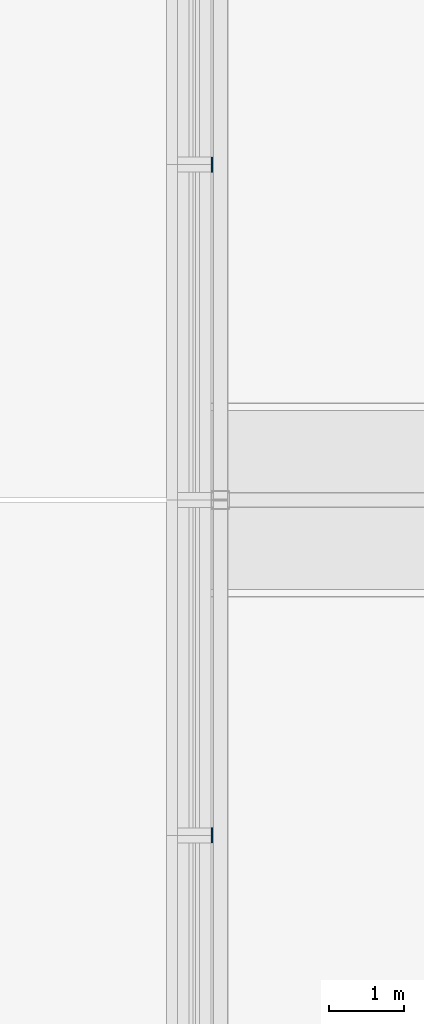
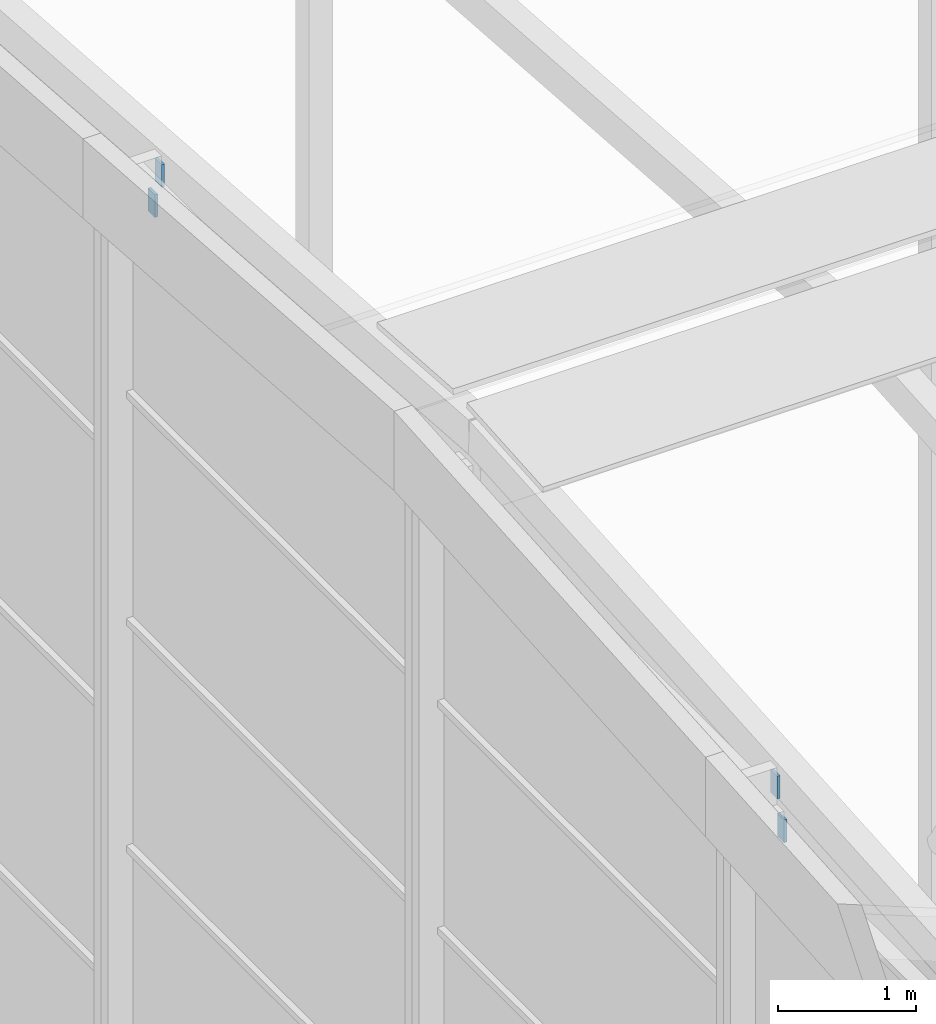
# One storey, part 65 of 84: 4 discrete accessories.
"""IFC4 building model written with IfcOpenShell, lengths in metres."""

import ifcopenshell
import ifcopenshell.guid

model = None  # the IFC model being written
_history = None  # IfcOwnerHistory: only IFC2X3 demands one
_inside = {}  # id of a spatial element -> (the spatial element, [elements in it])
_under = {}  # id of a project, library or spatial element -> (it, [spatial elements below it])
_declared = {}  # id of a project -> (the project, [libraries it declares])
_typed = {}  # id of a type object -> (the type object, [elements of that type])
_made_of = {}  # id of a material, layer set ... -> (it, [elements and type objects made of it])


def new_model(schema):
    """Start an empty IFC model of exactly this schema.

    Asked for "IFC4X3", IfcOpenShell would pick the latest addendum, in which some entities
    have other attributes; the version numbers below select the first issue.
    IFC2X3 requires an IfcOwnerHistory on every rooted entity: one is made here for all.
    """
    global model, _history
    if schema == "IFC4X3":
        model = ifcopenshell.file(schema_version=(4, 3, 0, 0))
    else:
        model = ifcopenshell.file(schema=schema)
    _inside.clear()
    _under.clear()
    _declared.clear()
    _typed.clear()
    _made_of.clear()
    _history = None
    if model.schema == "IFC2X3":
        org = make("IfcOrganization", Name="unknown")
        user = make(
            "IfcPersonAndOrganization",
            ThePerson=make("IfcPerson", FamilyName="unknown"),
            TheOrganization=org,
        )
        app = make(
            "IfcApplication",
            ApplicationDeveloper=org,
            Version="unknown",
            ApplicationFullName="unknown",
            ApplicationIdentifier="unknown",
        )
        _history = make(
            "IfcOwnerHistory",
            OwningUser=user,
            OwningApplication=app,
            ChangeAction="ADDED",
            CreationDate=0,
        )
    return model


def make(cls, **values):
    """One entity of the class cls with the attributes given. An attribute that is None is left unset."""
    return model.create_entity(
        cls, **{name: value for name, value in values.items() if value is not None}
    )


def rooted(cls, **values):
    """An entity with a GlobalId (a new one), such as an element, a storey or a relation."""
    return make(cls, GlobalId=ifcopenshell.guid.new(), OwnerHistory=_history, **values)


def si_unit(unit_type, name, prefix=None):
    """IfcSIUnit, for example si_unit("LENGTHUNIT", "METRE", prefix="MILLI")."""
    return make("IfcSIUnit", UnitType=unit_type, Prefix=prefix, Name=name)


def assignment(units):
    """IfcUnitAssignment: the units of a project."""
    return None if units is None else make("IfcUnitAssignment", Units=units)


def point(xyz):
    """IfcCartesianPoint."""
    return None if xyz is None else make("IfcCartesianPoint", Coordinates=xyz)


def direction(xyz):
    """IfcDirection."""
    return None if xyz is None else make("IfcDirection", DirectionRatios=xyz)


def frame(location, z_axis=None, x_axis=None):
    """IfcAxis2Placement3D, a coordinate frame: its origin and axes. An axis left out is left unset."""
    return make(
        "IfcAxis2Placement3D",
        Location=point(location),
        Axis=direction(z_axis),
        RefDirection=direction(x_axis),
    )


def frame_2d(location, x_axis=None):
    """IfcAxis2Placement2D, a coordinate frame in the plane: its origin and x axis."""
    return make(
        "IfcAxis2Placement2D", Location=point(location), RefDirection=direction(x_axis)
    )


def origin():
    """The frame at (0, 0, 0) with its axes left unset."""
    return frame((0.0, 0.0, 0.0))


def origin_2d():
    """The frame at (0, 0) in the plane with its x axis left unset."""
    return frame_2d((0.0, 0.0))


def place(relative_to, where):
    """IfcLocalPlacement: puts the frame where relative to a parent placement (None: the world)."""
    return make(
        "IfcLocalPlacement", PlacementRelTo=relative_to, RelativePlacement=where
    )


def context(
    kind, dimensions, precision=None, world=None, true_north=None, identifier=None
):
    """IfcGeometricRepresentationContext, for example the 3D "Model" context."""
    return make(
        "IfcGeometricRepresentationContext",
        ContextIdentifier=identifier,
        ContextType=kind,
        CoordinateSpaceDimension=dimensions,
        Precision=precision,
        WorldCoordinateSystem=world,
        TrueNorth=true_north,
    )


def subcontext(parent, identifier, kind, view, scale=None):
    """IfcGeometricRepresentationSubContext, for example "Body" below "Model"."""
    return make(
        "IfcGeometricRepresentationSubContext",
        ContextIdentifier=identifier,
        ContextType=kind,
        ParentContext=parent,
        TargetScale=scale,
        TargetView=view,
    )


def project(units=None, contexts=None):
    """IfcProject with its units and contexts."""
    return rooted(
        "IfcProject",
        Name="project",
        RepresentationContexts=contexts,
        UnitsInContext=assignment(units),
    )


def spatial(cls, under=None, at=None, **own):
    """A site, building, storey or space (cls), placed at a placement, below another one or the project."""
    s = rooted(cls, ObjectPlacement=at, **own)
    if under is not None:
        _under.setdefault(under.id(), (under, []))[1].append(s)
    return s


def profile(cls, at=None, kind="AREA", **sizes):
    """A parametric profile (cls). Its sizes go by their IFC names, for example OverallWidth=200.0."""
    return make(cls, ProfileType=kind, Position=at, **sizes)


def rectangle(**sizes):
    """IfcRectangleProfileDef."""
    return profile("IfcRectangleProfileDef", **sizes)


def extrude(swept, where, along, depth):
    """IfcExtrudedAreaSolid: the profile swept, set in the frame where, extruded along a direction by depth."""
    return make(
        "IfcExtrudedAreaSolid",
        SweptArea=swept,
        Position=where,
        ExtrudedDirection=direction(along),
        Depth=depth,
    )


def shape(context_of_items, identifier, shape_type, items):
    """IfcShapeRepresentation: the items that make up one representation, for example the "Body"."""
    return make(
        "IfcShapeRepresentation",
        ContextOfItems=context_of_items,
        RepresentationIdentifier=identifier,
        RepresentationType=shape_type,
        Items=items,
    )


def material(Name=None, Category=None):
    """IfcMaterial."""
    return make("IfcMaterial", Name=Name, Category=Category)


def made_of(thing, what):
    """Note that an element or type object is made of a material, layer set ...; save() writes the relation."""
    if what is not None:
        _made_of.setdefault(what.id(), (what, []))[1].append(thing)
    return thing


def type_object(cls, material=None, **own):
    """A type object (cls), such as IfcWallType, which elements share."""
    return made_of(rooted(cls, **own), material)


def element(
    cls,
    number,
    at=None,
    inside=None,
    cuts=None,
    type_object=None,
    material=None,
    context=None,
    identifier="Body",
    shape_type=None,
    held_by="IfcProductDefinitionShape",
    body=None,
    shapes=None,
    **own,
):
    """One element of the class cls, such as IfcWall. Its Tag is "e" and its number.

    at: its placement. inside: the storey or other place that contains it. cuts: it is an
    opening in that element (IfcRelVoidsElement). A single representation is given by context,
    identifier, shape_type and body (its items); several are given by shapes. held_by: the class
    of the entity that holds the representations. save() writes the other relations.
    """
    e = rooted(cls, Tag="e%d" % number, ObjectPlacement=at, **own)
    if body is not None:
        shapes = [shape(context, identifier, shape_type, body)]
    if shapes is not None:
        e.Representation = make(held_by, Representations=shapes)
    if inside is not None:
        _inside.setdefault(inside.id(), (inside, []))[1].append(e)
    if cuts is not None:
        rooted(
            "IfcRelVoidsElement", RelatingBuildingElement=cuts, RelatedOpeningElement=e
        )
    if type_object is not None:
        _typed.setdefault(type_object.id(), (type_object, []))[1].append(e)
    return made_of(e, material)


def aggregate(whole, parts):
    """IfcRelAggregates: a whole, such as a stair, and the parts it consists of."""
    return rooted("IfcRelAggregates", RelatingObject=whole, RelatedObjects=parts)


def save(model, path):
    """Write the relations noted so far, then the file.

    IfcRelAggregates (storeys below a building ...), IfcRelContainedInSpatialStructure (elements
    in a storey), IfcRelDefinesByType, IfcRelAssociatesMaterial and IfcRelDeclares: one each for
    every whole, place, type object, material and project.
    """
    for whole, parts in _under.values():
        aggregate(whole, parts)
    for where, things in _inside.values():
        rooted(
            "IfcRelContainedInSpatialStructure",
            RelatedElements=things,
            RelatingStructure=where,
        )
    for kind, things in _typed.values():
        rooted("IfcRelDefinesByType", RelatedObjects=things, RelatingType=kind)
    for what, things in _made_of.values():
        rooted("IfcRelAssociatesMaterial", RelatedObjects=things, RelatingMaterial=what)
    for by, libraries in _declared.values():
        rooted("IfcRelDeclares", RelatingContext=by, RelatedDefinitions=libraries)
    model.write(path)


model = new_model("IFC4")

# Units and contexts
model_context = context("Model", 3, precision=1e-05, world=origin(), true_north=direction((0.0, 1.0)))
body_context = subcontext(model_context, "Body", "Model", "MODEL_VIEW")
ifc_project = project(units=[si_unit("LENGTHUNIT", "METRE"), si_unit("AREAUNIT", "SQUARE_METRE"), si_unit("VOLUMEUNIT", "CUBIC_METRE"), si_unit("PLANEANGLEUNIT", "RADIAN"), si_unit("MASSUNIT", "GRAM", prefix="KILO")], contexts=[model_context])

# Site, building, storey
site_placement = place(None, origin())
site = spatial("IfcSite", under=ifc_project, at=site_placement, CompositionType="ELEMENT")
building_placement = place(site_placement, origin())
building = spatial("IfcBuilding", under=site, at=building_placement, Name="Silverbay Arena", CompositionType="ELEMENT")
storey_placement = place(building_placement, frame((0.0, 0.0, 47.10009765625)))
storey = spatial("IfcBuildingStorey", under=building, at=storey_placement, Name="ROOF", CompositionType="ELEMENT", Elevation=47.10009765625)

# Discrete accessories
ifc_material = material(Name="Steel S355", Category="steel")
discrete_accessory_type = type_object("IfcDiscreteAccessoryType", Name="Steel bracket plate", PredefinedType="BRACKET", material=ifc_material)
for number, where, z_axis, x_axis, name in (
    (1, (80.887451171875, 76.449951171875, 11.8701171875), (0.0, 0.0, 1.0), (1.0, 0.0, 0.0), "Curtain wall packing plate"),
    (2, (80.887451171875, 76.550048828125, 12.19482421875), (0.0, 0.0, 1.0), (1.0, 0.0, 0.0), "Curtain wall packing plate"),
    (3, (80.887451171875, 85.449951171875, 12.19482421875), (0.0, 0.0, 1.0), (1.0, 0.0, 0.0), "Curtain wall packing plate"),
    (4, (80.887451171875, 85.550048828125, 11.8701171875), (0.0, 0.0, 1.0), (1.0, 0.0, 0.0), "Curtain wall packing plate"),
):
    element("IfcDiscreteAccessory", number, at=place(storey_placement, frame(where, z_axis=z_axis, x_axis=x_axis)), inside=storey, type_object=discrete_accessory_type, Name=name, PredefinedType="BRACKET", context=body_context, shape_type="SweptSolid", body=[
        extrude(rectangle(XDim=0.02490234375, YDim=0.10009765625, at=origin_2d()), origin(), (0.0, 0.0, 1.0), 0.199951171875),
    ])

save(model, "model.ifc")
